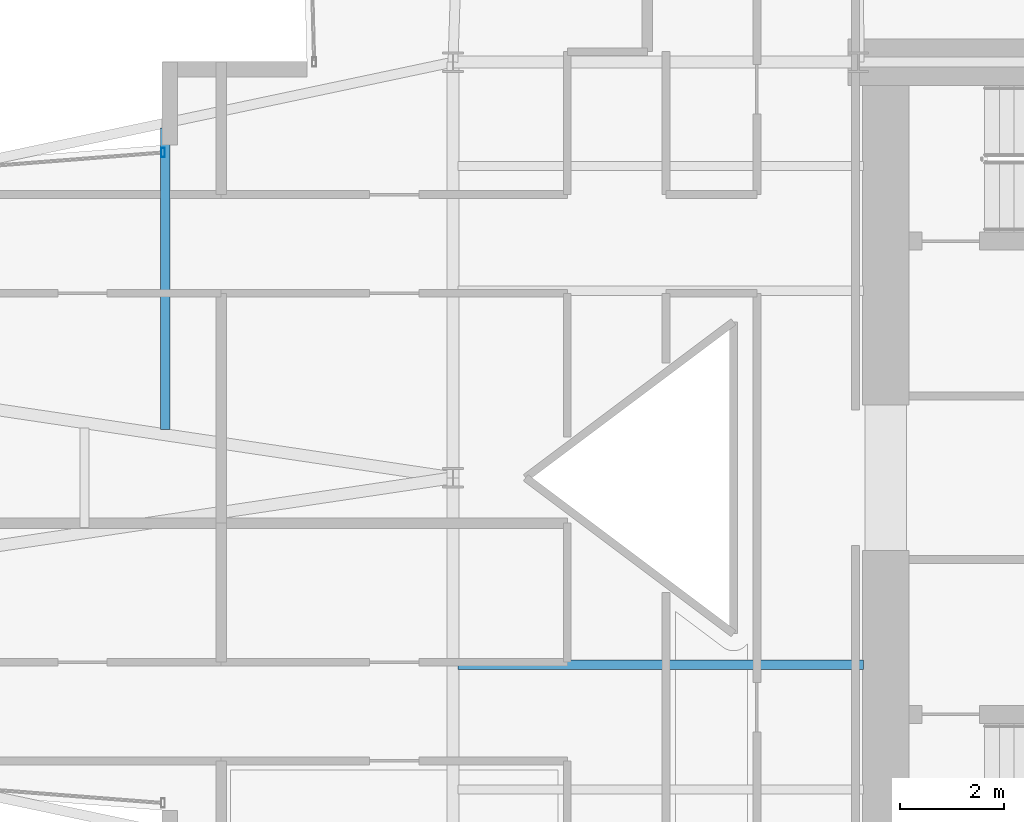
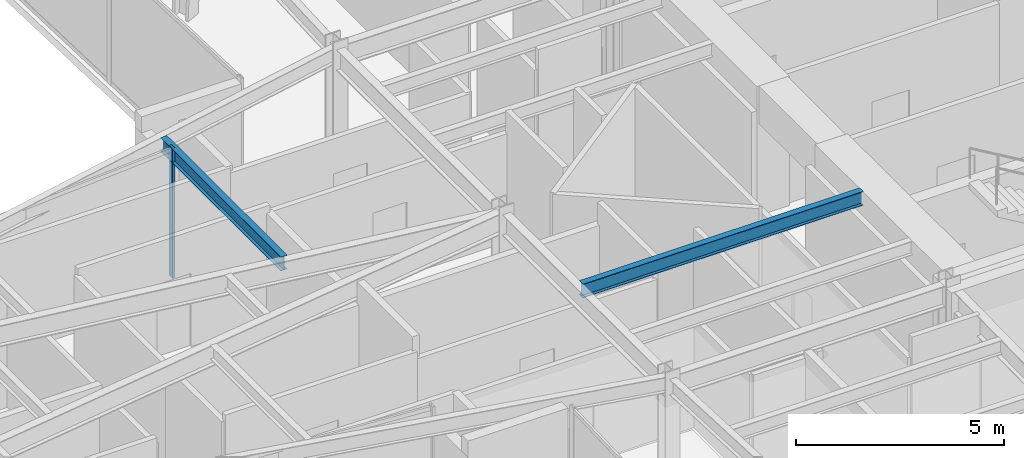
# One storey, part 12 of 31: 2 beams, 1 member, 1 element without a shape of its own.
"""IFC4 building model written with IfcOpenShell, lengths in metres."""

from ifc_helpers import new_model, si_unit, direction, frame, origin, origin_2d, place, context, subcontext, project, spatial, hollow_rectangle, i_section, extrude, material, layer, layer_set, material_profile, profile_set, type_object, element, aggregate, save


model = new_model("IFC4")

# Units and contexts
model_context = context("Model", 3, precision=1e-05, world=origin(), true_north=direction((0.0, 1.0)))
body_context = subcontext(model_context, "Body", "Model", "MODEL_VIEW")
ifc_project = project(units=[si_unit("LENGTHUNIT", "METRE"), si_unit("AREAUNIT", "SQUARE_METRE"), si_unit("VOLUMEUNIT", "CUBIC_METRE"), si_unit("PLANEANGLEUNIT", "RADIAN"), si_unit("MASSUNIT", "GRAM", prefix="KILO")], contexts=[model_context])

# Site, building, storey
site_placement = place(None, origin())
site = spatial("IfcSite", under=ifc_project, at=site_placement, CompositionType="ELEMENT")
building_placement = place(site_placement, origin())
building = spatial("IfcBuilding", under=site, at=building_placement, Name="Veymaron Broadcast Tower", CompositionType="ELEMENT")
storey_placement = place(building_placement, frame((0.0, 0.0, 70.199951171875)))
storey = spatial("IfcBuildingStorey", under=building, at=storey_placement, Name="L15", CompositionType="ELEMENT", Elevation=70.199951171875)

# Beams
ifc_material_1 = material(Name="Structural steel ASTM A992 Gr 50", Category="steel")
ifc_material_profile_1 = material_profile(ifc_material_1, i_section(OverallWidth=0.177978515625, OverallDepth=0.406982421875, WebThickness=0.0078125, FlangeThickness=0.0126953125, at=origin_2d()), Name="W410X60")
ifc_profile_set_1 = profile_set([ifc_material_profile_1], Name="Structural steel ASTM A992 Gr 50")
beam_type = type_object("IfcBeamType", Name="BM-JS1", PredefinedType="JOIST", material=ifc_profile_set_1)
beam_1_placement = place(storey_placement, frame((25.660400390625, 24.927490234375, 3.6064453125), z_axis=(0.0, 1.0, 0.0), x_axis=(-1.0, 0.0, 0.0)))
element("IfcBeam", 1, at=beam_1_placement, inside=storey, type_object=beam_type, Name="L15 Arm-A secondary joist 2N", PredefinedType="JOIST", context=body_context, shape_type="SweptSolid", body=[
    extrude(i_section(OverallWidth=0.177978515625, OverallDepth=0.406982421875, WebThickness=0.0078125, FlangeThickness=0.0126953125, at=origin_2d()), origin(), (0.0, 0.0, 1.0), 5.800048828125),
])
beam_2_placement = place(storey_placement, frame((31.300048828125, 20.39990234375, 3.6064453125), z_axis=(1.0, 0.0, 0.0), x_axis=(0.0, 1.0, 0.0)))
element("IfcBeam", 2, at=beam_2_placement, inside=storey, type_object=beam_type, Name="L15 Hub secondary joist 2", PredefinedType="JOIST", context=body_context, shape_type="SweptSolid", body=[
    extrude(i_section(OverallWidth=0.177978515625, OverallDepth=0.406982421875, WebThickness=0.0078125, FlangeThickness=0.0126953125, at=origin_2d()), origin(), (0.0, 0.0, 1.0), 7.800048828125),
])

# Curtain wall, member
ifc_material_2 = material(Name="Anodised aluminium AA 6063-T6 and laminated low-E dark glass", Category="aluminium")
ifc_layer = layer(ifc_material_2, 0.179931640625)
ifc_layer_set = layer_set([ifc_layer], Name="Anodised aluminium AA 6063-T6 and laminated low-E dark glass")
curtain_wall_type = type_object("IfcCurtainWallType", Name="CW-SYS-02", PredefinedType="NOTDEFINED", material=ifc_layer_set)
curtain_wall_placement = place(storey_placement, origin())
curtain_wall = element("IfcCurtainWall", 3, at=curtain_wall_placement, inside=storey, type_object=curtain_wall_type, Name="L15 dark-glass curtain wall CW-L15-E11-1", PredefinedType="NOTDEFINED")
ifc_material_3 = material(Name="Anodised aluminium AA 6063-T6", Category="aluminium")
ifc_material_profile_2 = material_profile(ifc_material_3, hollow_rectangle(XDim=0.074951171875, YDim=0.179931640625, WallThickness=0.0048828125, at=origin_2d()), Name="AL180X75X5")
ifc_profile_set_2 = profile_set([ifc_material_profile_2], Name="Anodised aluminium AA 6063-T6")
member_type = type_object("IfcMemberType", Name="CW-MUL-02", PredefinedType="MULLION", material=ifc_profile_set_2)
member_placement = place(storey_placement, frame((25.618896484375, 30.2607421875, 0.0), z_axis=(0.0, 0.0, 1.0), x_axis=(1.0, 0.0, 0.0)))
member = element("IfcMember", 4, at=member_placement, type_object=member_type, Name="CW-L15-E11-1 mullion 0", PredefinedType="MULLION", context=body_context, shape_type="SweptSolid", body=[
    extrude(hollow_rectangle(XDim=0.074951171875, YDim=0.179931640625, WallThickness=0.0048828125, at=origin_2d()), origin(), (0.0, 0.0, 1.0), 3.81005859375),
])
aggregate(curtain_wall, [member])

save(model, "model.ifc")
